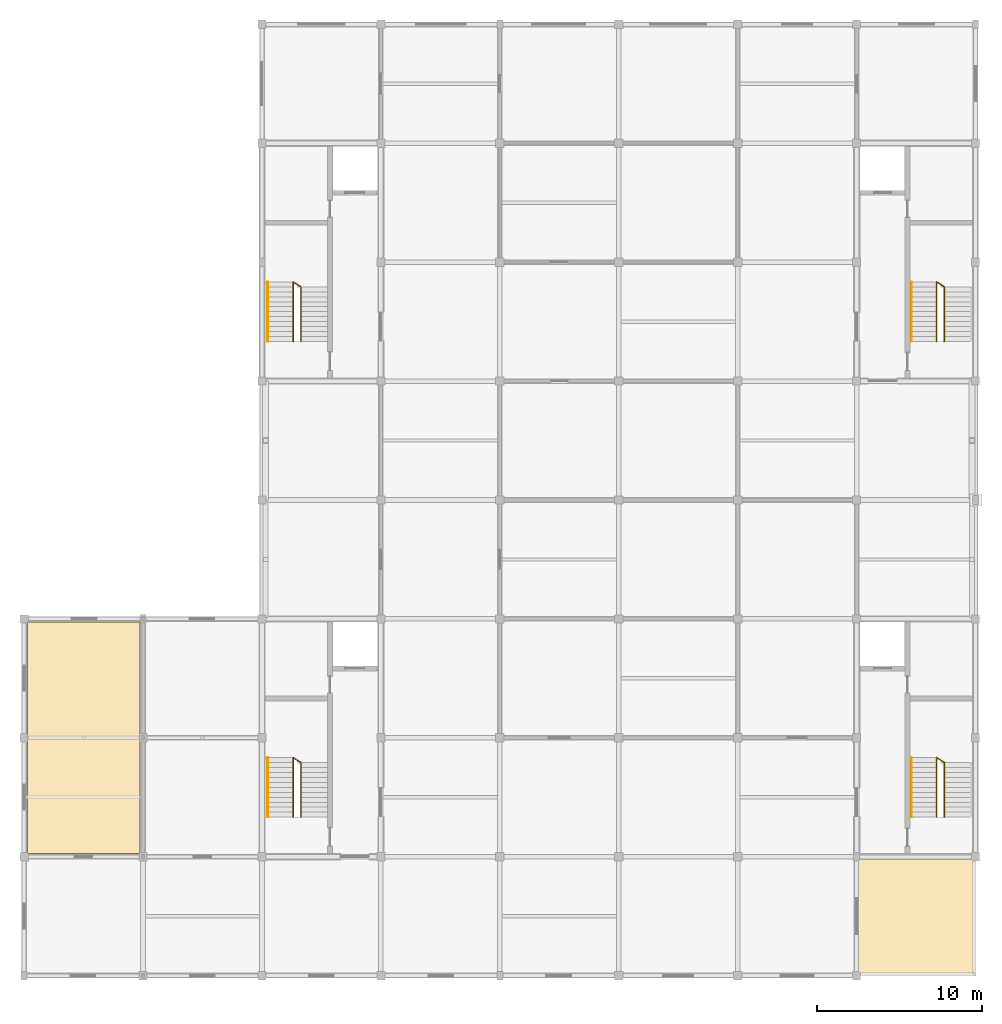
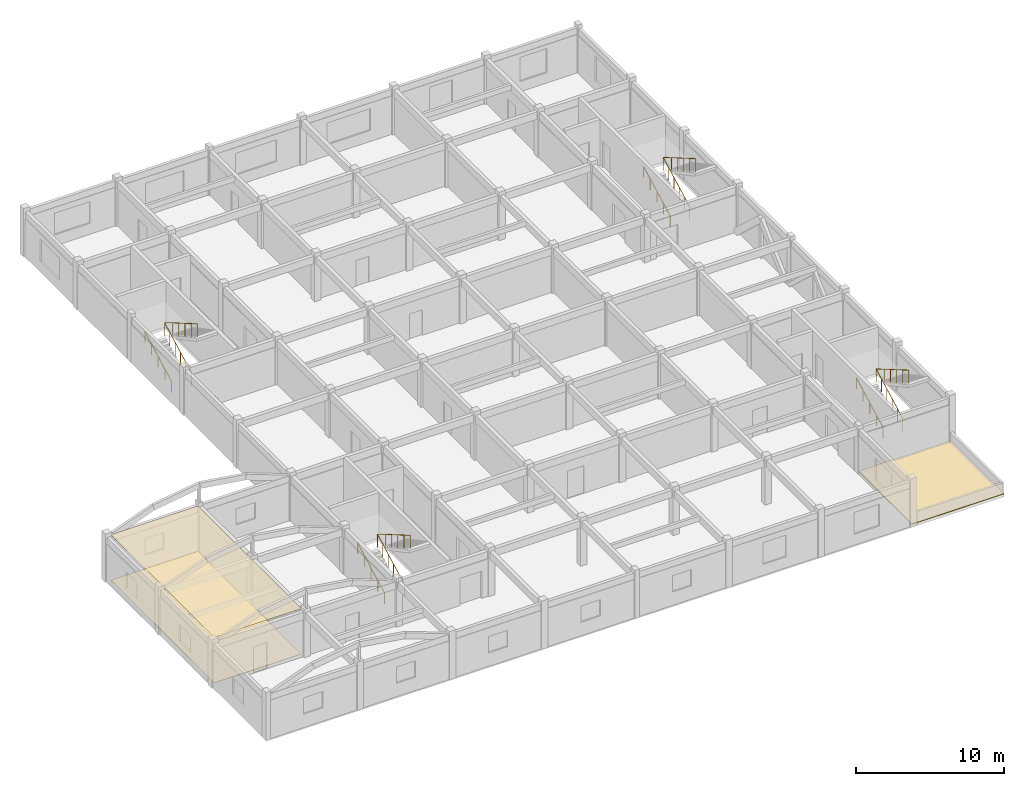
# One storey, part 10 of 10: 8 railings, 3 coverings.
"""IFC4 building model written with IfcOpenShell, lengths in metres."""

from ifc_helpers import new_model, si_unit, direction, frame, origin, origin_2d, place, context, subcontext, project, spatial, polyline, circle, outline, extrude, material, layer, layer_set, type_object, element, save


model = new_model("IFC4")

# Units and contexts
model_context = context("Model", 3, precision=1e-05, world=origin(), true_north=direction((0.0, 1.0)))
body_context = subcontext(model_context, "Body", "Model", "MODEL_VIEW")
ifc_project = project(units=[si_unit("LENGTHUNIT", "METRE"), si_unit("AREAUNIT", "SQUARE_METRE"), si_unit("VOLUMEUNIT", "CUBIC_METRE"), si_unit("PLANEANGLEUNIT", "RADIAN"), si_unit("MASSUNIT", "GRAM", prefix="KILO")], contexts=[model_context])

# Site, building, storey
site_placement = place(None, origin())
site = spatial("IfcSite", under=ifc_project, at=site_placement, CompositionType="ELEMENT")
building_placement = place(site_placement, origin())
building = spatial("IfcBuilding", under=site, at=building_placement, Name="Cendaluz Park School", CompositionType="ELEMENT")
storey_placement = place(building_placement, frame((0.0, 0.0, 51.0)))
storey = spatial("IfcBuildingStorey", under=building, at=storey_placement, Name="L12", CompositionType="ELEMENT", Elevation=51.0)

# Coverings
ifc_material_1 = material(Name="Mineral Fibre Acoustic Tile")
ifc_layer_1 = layer(ifc_material_1, 0.030029296875)
ifc_layer_set_1 = layer_set([ifc_layer_1], Name="Mineral Fibre Acoustic Tile")
covering_type_1 = type_object("IfcCoveringType", Name="CV-CLG01", PredefinedType="CEILING", material=ifc_layer_set_1)
covering_1_placement = place(storey_placement, frame((0.0, 0.0, 3.75)))
element("IfcCovering", 1, at=covering_1_placement, inside=storey, type_object=covering_type_1, Name="CV-CLG-L12-01", PredefinedType="CEILING", context=body_context, shape_type="SweptSolid", body=[
    extrude(outline(polyline([(50.60009765625, 14.60009765625), (57.39990234375, 14.60009765625), (57.39990234375, 28.60009765625), (50.60009765625, 28.60009765625), (50.60009765625, 14.60009765625)])), origin(), (0.0, 0.0, 1.0), 0.030029296875),
])
ifc_material_2 = material(Name="Polished Terrazzo Tile")
ifc_layer_2 = layer(ifc_material_2, 0.02001953125)
ifc_layer_set_2 = layer_set([ifc_layer_2], Name="Polished Terrazzo Tile")
covering_type_2 = type_object("IfcCoveringType", Name="CV-FLR01", PredefinedType="FLOORING", material=ifc_layer_set_2)
covering_2_placement = place(storey_placement, origin())
element("IfcCovering", 2, at=covering_2_placement, inside=storey, type_object=covering_type_2, Name="CV-FLR-L12-01", PredefinedType="FLOORING", context=body_context, shape_type="SweptSolid", body=[
    extrude(outline(polyline([(50.60009765625, 14.60009765625), (57.39990234375, 14.60009765625), (57.39990234375, 28.60009765625), (50.60009765625, 28.60009765625), (50.60009765625, 14.60009765625)])), origin(), (0.0, 0.0, 1.0), 0.02001953125),
])
ifc_material_3 = material(Name="EPDM Roofing Membrane")
ifc_layer_3 = layer(ifc_material_3, 0.06005859375)
ifc_layer_set_3 = layer_set([ifc_layer_3], Name="EPDM Roofing Membrane")
covering_type_3 = type_object("IfcCoveringType", Name="CV-RF01", PredefinedType="ROOFING", material=ifc_layer_set_3)
covering_3_placement = place(storey_placement, origin())
element("IfcCovering", 3, at=covering_3_placement, inside=storey, type_object=covering_type_3, Name="CV-RF-L11-03", PredefinedType="ROOFING", context=body_context, shape_type="SweptSolid", body=[
    extrude(outline(polyline([(108.0, 7.199951171875), (108.0, 14.39990234375), (100.800048828125, 14.39990234375), (100.800048828125, 7.199951171875), (108.0, 7.199951171875)])), origin(), (0.0, 0.0, 1.0), 0.06005859375),
])

# Railings
ifc_material_4 = material(Name="Wrought Iron")
railing_type_1 = type_object("IfcRailingType", Name="GR-ST01", PredefinedType="BALUSTRADE", material=ifc_material_4)
railing_1_placement = place(storey_placement, frame((66.68994140625, 16.800048828125, 0.159912109375)))
element("IfcRailing", 4, at=railing_1_placement, inside=storey, type_object=railing_type_1, Name="GR-ST-027", PredefinedType="BALUSTRADE", context=body_context, shape_type="SweptSolid", body=[
    extrude(circle(Radius=0.02392578125, at=origin_2d()), frame((0.0, 0.0, 1.076171875), z_axis=(0.0, 0.882328093246, 0.470634822203), x_axis=(-1.0, 0.0, 0.0)), (0.0, 0.0, 1.0), 4.079833984375),
    extrude(circle(Radius=0.02392578125, at=origin_2d()), frame((0.0, 3.599853515625, 2.99609375), z_axis=(0.843065864119, -0.537810327864, 0.0), x_axis=(0.537810327864, 0.843065864119, 0.0)), (0.0, 0.0, 1.0), 0.557373046875),
    extrude(circle(Radius=0.02392578125, at=origin_2d()), frame((0.469970703125, 3.300048828125, 2.99609375), z_axis=(0.0, -0.864360466543, 0.502872731293), x_axis=(1.0, 0.0, 0.0)), (0.0, 0.0, 1.0), 3.81787109375),
    extrude(circle(Radius=0.02099609375, at=origin_2d()), origin(), (0.0, 0.0, 1.0), 1.052001953125),
    extrude(circle(Radius=0.02099609375, at=origin_2d()), frame((0.0, 0.719970703125, 0.384033203125)), (0.0, 0.0, 1.0), 1.052001953125),
    extrude(circle(Radius=0.02099609375, at=origin_2d()), frame((0.0, 1.43994140625, 0.76806640625)), (0.0, 0.0, 1.0), 1.052001953125),
    extrude(circle(Radius=0.02099609375, at=origin_2d()), frame((0.0, 2.159912109375, 1.152099609375)), (0.0, 0.0, 1.0), 1.052001953125),
    extrude(circle(Radius=0.02099609375, at=origin_2d()), frame((0.0, 2.8798828125, 1.5361328125)), (0.0, 0.0, 1.0), 1.052001953125),
    extrude(circle(Radius=0.02099609375, at=origin_2d()), frame((0.0, 3.599853515625, 1.920166015625)), (0.0, 0.0, 1.0), 1.052001953125),
    extrude(circle(Radius=0.02099609375, at=origin_2d()), frame((0.469970703125, 3.300048828125, 1.920166015625)), (0.0, 0.0, 1.0), 1.052001953125),
    extrude(circle(Radius=0.02099609375, at=origin_2d()), frame((0.469970703125, 2.47509765625, 2.400146484375)), (0.0, 0.0, 1.0), 1.052001953125),
    extrude(circle(Radius=0.02099609375, at=origin_2d()), frame((0.469970703125, 1.64990234375, 2.880126953125)), (0.0, 0.0, 1.0), 1.052001953125),
    extrude(circle(Radius=0.02099609375, at=origin_2d()), frame((0.469970703125, 0.824951171875, 3.360107421875)), (0.0, 0.0, 1.0), 1.052001953125),
    extrude(circle(Radius=0.02099609375, at=origin_2d()), frame((0.469970703125, 0.0, 3.840087890625)), (0.0, 0.0, 1.0), 1.052001953125),
])
railing_2_placement = place(storey_placement, frame((105.639892578125, 16.800048828125, 0.159912109375)))
element("IfcRailing", 5, at=railing_2_placement, inside=storey, type_object=railing_type_1, Name="GR-ST-062", PredefinedType="BALUSTRADE", context=body_context, shape_type="SweptSolid", body=[
    extrude(circle(Radius=0.02392578125, at=origin_2d()), frame((0.0, 0.0, 1.076171875), z_axis=(0.0, 0.882328093246, 0.470634822203), x_axis=(-1.0, 0.0, 0.0)), (0.0, 0.0, 1.0), 4.079833984375),
    extrude(circle(Radius=0.02392578125, at=origin_2d()), frame((0.0, 3.599853515625, 2.99609375), z_axis=(0.843192468449, -0.537611812697, 0.0), x_axis=(0.537611812697, 0.843192468449, 0.0)), (0.0, 0.0, 1.0), 0.5576171875),
    extrude(circle(Radius=0.02392578125, at=origin_2d()), frame((0.47021484375, 3.300048828125, 2.99609375), z_axis=(0.0, -0.864360466543, 0.502872731293), x_axis=(1.0, 0.0, 0.0)), (0.0, 0.0, 1.0), 3.81787109375),
    extrude(circle(Radius=0.02099609375, at=origin_2d()), origin(), (0.0, 0.0, 1.0), 1.052001953125),
    extrude(circle(Radius=0.02099609375, at=origin_2d()), frame((0.0, 0.719970703125, 0.384033203125)), (0.0, 0.0, 1.0), 1.052001953125),
    extrude(circle(Radius=0.02099609375, at=origin_2d()), frame((0.0, 1.43994140625, 0.76806640625)), (0.0, 0.0, 1.0), 1.052001953125),
    extrude(circle(Radius=0.02099609375, at=origin_2d()), frame((0.0, 2.159912109375, 1.152099609375)), (0.0, 0.0, 1.0), 1.052001953125),
    extrude(circle(Radius=0.02099609375, at=origin_2d()), frame((0.0, 2.8798828125, 1.5361328125)), (0.0, 0.0, 1.0), 1.052001953125),
    extrude(circle(Radius=0.02099609375, at=origin_2d()), frame((0.0, 3.599853515625, 1.920166015625)), (0.0, 0.0, 1.0), 1.052001953125),
    extrude(circle(Radius=0.02099609375, at=origin_2d()), frame((0.47021484375, 3.300048828125, 1.920166015625)), (0.0, 0.0, 1.0), 1.052001953125),
    extrude(circle(Radius=0.02099609375, at=origin_2d()), frame((0.47021484375, 2.47509765625, 2.400146484375)), (0.0, 0.0, 1.0), 1.052001953125),
    extrude(circle(Radius=0.02099609375, at=origin_2d()), frame((0.47021484375, 1.64990234375, 2.880126953125)), (0.0, 0.0, 1.0), 1.052001953125),
    extrude(circle(Radius=0.02099609375, at=origin_2d()), frame((0.47021484375, 0.824951171875, 3.360107421875)), (0.0, 0.0, 1.0), 1.052001953125),
    extrude(circle(Radius=0.02099609375, at=origin_2d()), frame((0.47021484375, 0.0, 3.840087890625)), (0.0, 0.0, 1.0), 1.052001953125),
])
railing_3_placement = place(storey_placement, frame((66.68994140625, 45.60009765625, 0.159912109375)))
element("IfcRailing", 6, at=railing_3_placement, inside=storey, type_object=railing_type_1, Name="GR-ST-097", PredefinedType="BALUSTRADE", context=body_context, shape_type="SweptSolid", body=[
    extrude(circle(Radius=0.02392578125, at=origin_2d()), frame((0.0, 0.0, 1.076171875), z_axis=(0.0, 0.882328093246, 0.470634822203), x_axis=(-1.0, 0.0, 0.0)), (0.0, 0.0, 1.0), 4.079833984375),
    extrude(circle(Radius=0.02392578125, at=origin_2d()), frame((0.0, 3.599853515625, 2.99609375), z_axis=(0.842867279897, -0.538121499737, 0.0), x_axis=(0.538121499737, 0.842867279897, 0.0)), (0.0, 0.0, 1.0), 0.5576171875),
    extrude(circle(Radius=0.02392578125, at=origin_2d()), frame((0.469970703125, 3.2998046875, 2.99609375), z_axis=(0.0, -0.86434429443, 0.502900527626), x_axis=(1.0, 0.0, 0.0)), (0.0, 0.0, 1.0), 3.817626953125),
    extrude(circle(Radius=0.02099609375, at=origin_2d()), origin(), (0.0, 0.0, 1.0), 1.052001953125),
    extrude(circle(Radius=0.02099609375, at=origin_2d()), frame((0.0, 0.719970703125, 0.384033203125)), (0.0, 0.0, 1.0), 1.052001953125),
    extrude(circle(Radius=0.02099609375, at=origin_2d()), frame((0.0, 1.43994140625, 0.76806640625)), (0.0, 0.0, 1.0), 1.052001953125),
    extrude(circle(Radius=0.02099609375, at=origin_2d()), frame((0.0, 2.159912109375, 1.152099609375)), (0.0, 0.0, 1.0), 1.052001953125),
    extrude(circle(Radius=0.02099609375, at=origin_2d()), frame((0.0, 2.8798828125, 1.5361328125)), (0.0, 0.0, 1.0), 1.052001953125),
    extrude(circle(Radius=0.02099609375, at=origin_2d()), frame((0.0, 3.599853515625, 1.920166015625)), (0.0, 0.0, 1.0), 1.052001953125),
    extrude(circle(Radius=0.02099609375, at=origin_2d()), frame((0.469970703125, 3.2998046875, 1.920166015625)), (0.0, 0.0, 1.0), 1.052001953125),
    extrude(circle(Radius=0.02099609375, at=origin_2d()), frame((0.469970703125, 2.474853515625, 2.400146484375)), (0.0, 0.0, 1.0), 1.052001953125),
    extrude(circle(Radius=0.02099609375, at=origin_2d()), frame((0.469970703125, 1.64990234375, 2.880126953125)), (0.0, 0.0, 1.0), 1.052001953125),
    extrude(circle(Radius=0.02099609375, at=origin_2d()), frame((0.469970703125, 0.824951171875, 3.360107421875)), (0.0, 0.0, 1.0), 1.052001953125),
    extrude(circle(Radius=0.02099609375, at=origin_2d()), frame((0.469970703125, 0.0, 3.840087890625)), (0.0, 0.0, 1.0), 1.052001953125),
])
railing_4_placement = place(storey_placement, frame((105.639892578125, 45.60009765625, 0.159912109375)))
element("IfcRailing", 7, at=railing_4_placement, inside=storey, type_object=railing_type_1, Name="GR-ST-132", PredefinedType="BALUSTRADE", context=body_context, shape_type="SweptSolid", body=[
    extrude(circle(Radius=0.02392578125, at=origin_2d()), frame((0.0, 0.0, 1.076171875), z_axis=(0.0, 0.882328093246, 0.470634822203), x_axis=(-1.0, 0.0, 0.0)), (0.0, 0.0, 1.0), 4.079833984375),
    extrude(circle(Radius=0.02392578125, at=origin_2d()), frame((0.0, 3.599853515625, 2.99609375), z_axis=(0.84299400095, -0.537922963223, 0.0), x_axis=(0.537922963223, 0.84299400095, 0.0)), (0.0, 0.0, 1.0), 0.557861328125),
    extrude(circle(Radius=0.02392578125, at=origin_2d()), frame((0.47021484375, 3.2998046875, 2.99609375), z_axis=(0.0, -0.86434429443, 0.502900527626), x_axis=(1.0, 0.0, 0.0)), (0.0, 0.0, 1.0), 3.817626953125),
    extrude(circle(Radius=0.02099609375, at=origin_2d()), origin(), (0.0, 0.0, 1.0), 1.052001953125),
    extrude(circle(Radius=0.02099609375, at=origin_2d()), frame((0.0, 0.719970703125, 0.384033203125)), (0.0, 0.0, 1.0), 1.052001953125),
    extrude(circle(Radius=0.02099609375, at=origin_2d()), frame((0.0, 1.43994140625, 0.76806640625)), (0.0, 0.0, 1.0), 1.052001953125),
    extrude(circle(Radius=0.02099609375, at=origin_2d()), frame((0.0, 2.159912109375, 1.152099609375)), (0.0, 0.0, 1.0), 1.052001953125),
    extrude(circle(Radius=0.02099609375, at=origin_2d()), frame((0.0, 2.8798828125, 1.5361328125)), (0.0, 0.0, 1.0), 1.052001953125),
    extrude(circle(Radius=0.02099609375, at=origin_2d()), frame((0.0, 3.599853515625, 1.920166015625)), (0.0, 0.0, 1.0), 1.052001953125),
    extrude(circle(Radius=0.02099609375, at=origin_2d()), frame((0.47021484375, 3.2998046875, 1.920166015625)), (0.0, 0.0, 1.0), 1.052001953125),
    extrude(circle(Radius=0.02099609375, at=origin_2d()), frame((0.47021484375, 2.474853515625, 2.400146484375)), (0.0, 0.0, 1.0), 1.052001953125),
    extrude(circle(Radius=0.02099609375, at=origin_2d()), frame((0.47021484375, 1.64990234375, 2.880126953125)), (0.0, 0.0, 1.0), 1.052001953125),
    extrude(circle(Radius=0.02099609375, at=origin_2d()), frame((0.47021484375, 0.824951171875, 3.360107421875)), (0.0, 0.0, 1.0), 1.052001953125),
    extrude(circle(Radius=0.02099609375, at=origin_2d()), frame((0.47021484375, 0.0, 3.840087890625)), (0.0, 0.0, 1.0), 1.052001953125),
])
ifc_material_5 = material(Name="Architectural Bronze")
railing_type_2 = type_object("IfcRailingType", Name="HR-ST01", PredefinedType="HANDRAIL", material=ifc_material_5)
for number, where, name in (
    (8, (65.14990234375, 16.800048828125, 0.159912109375), "HR-ST-028"),
    (9, (104.10009765625, 16.800048828125, 0.159912109375), "HR-ST-063"),
    (10, (65.14990234375, 45.60009765625, 0.159912109375), "HR-ST-098"),
    (11, (104.10009765625, 45.60009765625, 0.159912109375), "HR-ST-133"),
):
    element("IfcRailing", number, at=place(storey_placement, frame(where)), inside=storey, type_object=railing_type_2, Name=name, PredefinedType="HANDRAIL", context=body_context, shape_type="SweptSolid", body=[
        extrude(circle(Radius=0.02392578125, at=origin_2d()), frame((0.0, 0.0, 0.8759765625), z_axis=(0.0, 0.882328093246, 0.470634822203), x_axis=(-1.0, 0.0, 0.0)), (0.0, 0.0, 1.0), 4.079833984375),
        extrude(circle(Radius=0.02099609375, at=origin_2d()), origin(), (0.0, 0.0, 1.0), 0.851806640625),
        extrude(circle(Radius=0.02099609375, at=origin_2d()), frame((0.0, 0.89990234375, 0.47998046875)), (0.0, 0.0, 1.0), 0.851806640625),
        extrude(circle(Radius=0.02099609375, at=origin_2d()), frame((0.0, 1.7998046875, 0.9599609375)), (0.0, 0.0, 1.0), 0.851806640625),
        extrude(circle(Radius=0.02099609375, at=origin_2d()), frame((0.0, 2.699951171875, 1.440185546875)), (0.0, 0.0, 1.0), 0.851806640625),
        extrude(circle(Radius=0.02099609375, at=origin_2d()), frame((0.0, 3.599853515625, 1.920166015625)), (0.0, 0.0, 1.0), 0.851806640625),
    ])

save(model, "model.ifc")
